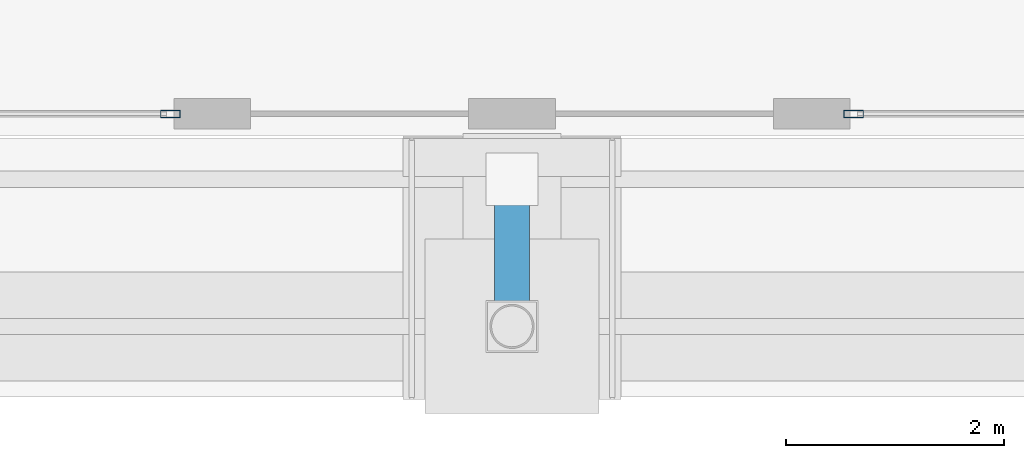
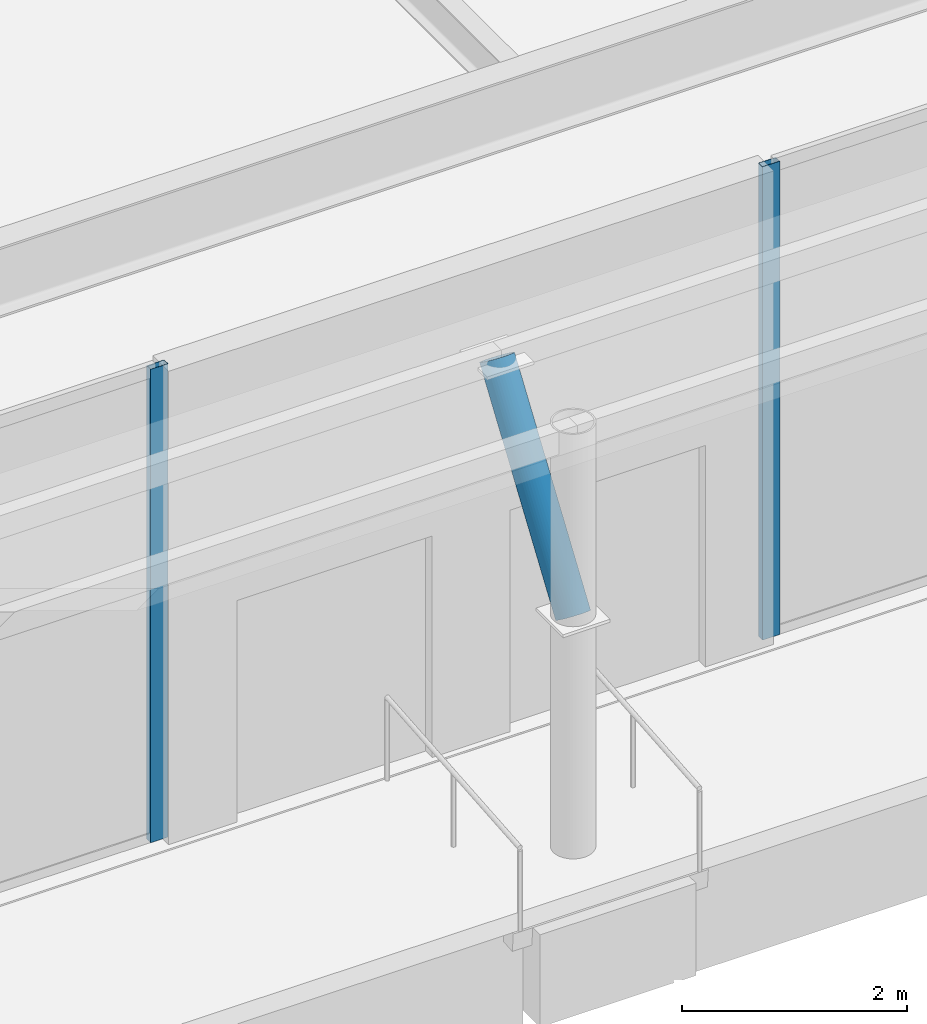
# One storey, part 11 of 31: 3 members, 2 elements without a shape of their own.
"""IFC4 building model written with IfcOpenShell, lengths in metres."""

from ifc_helpers import new_model, si_unit, direction, frame, origin, origin_2d, place, context, subcontext, project, spatial, hollow_rectangle, hollow_circle, extrude, material, layer, layer_set, material_profile, profile_set, type_object, element, aggregate, save


model = new_model("IFC4")

# Units and contexts
model_context = context("Model", 3, precision=1e-05, world=origin(), true_north=direction((0.0, 1.0)))
body_context = subcontext(model_context, "Body", "Model", "MODEL_VIEW")
ifc_project = project(units=[si_unit("LENGTHUNIT", "METRE"), si_unit("AREAUNIT", "SQUARE_METRE"), si_unit("VOLUMEUNIT", "CUBIC_METRE"), si_unit("PLANEANGLEUNIT", "RADIAN"), si_unit("MASSUNIT", "GRAM", prefix="KILO")], contexts=[model_context])

# Site, building, storey
site_placement = place(None, origin())
site = spatial("IfcSite", under=ifc_project, at=site_placement, CompositionType="ELEMENT")
building_placement = place(site_placement, origin())
building = spatial("IfcBuilding", under=site, at=building_placement, Name="Kravanh Interchange Tower", CompositionType="ELEMENT")
storey_placement = place(building_placement, origin())
storey = spatial("IfcBuildingStorey", under=building, at=storey_placement, Name="L00", CompositionType="ELEMENT", Elevation=0.0)

# Member
ifc_material_1 = material(Name="Structural Steel S355", Category="steel")
ifc_material_profile_1 = material_profile(ifc_material_1, hollow_circle(Radius=0.162109375, WallThickness=0.011962890625, at=origin_2d()), Name="CHS324X12")
ifc_profile_set_1 = profile_set([ifc_material_profile_1], Name="Structural Steel S355")
member_type_1 = type_object("IfcMemberType", Name="Canopy Raking Strut CHS324X12 Structural Steel S355", PredefinedType="STRUT", material=ifc_profile_set_1)
member_1_placement = place(storey_placement, frame((37.0, -1.75, 2.5), z_axis=(0.0, 0.564318032466, 0.8255574833), x_axis=(-1.0, 0.0, 0.0)))
element("IfcMember", 1, at=member_1_placement, inside=storey, type_object=member_type_1, Name="Transit Canopy Raking Strut 4", PredefinedType="STRUT", context=body_context, shape_type="SweptSolid", body=[
    extrude(hollow_circle(Radius=0.162109375, WallThickness=0.011962890625, at=origin_2d()), origin(), (0.0, 0.0, 1.0), 2.392333984375),
])

# Curtain wall, member
ifc_material_2 = material(Name="Anodised Bronze Aluminium", Category="aluminium")
ifc_layer = layer(ifc_material_2, 0.179931640625)
ifc_layer_set = layer_set([ifc_layer], Name="Unitised Curtain Wall System CW-POD Podium Concourse")
curtain_wall_type = type_object("IfcCurtainWallType", Name="Unitised Curtain Wall System CW-POD Podium Concourse", PredefinedType="NOTDEFINED", material=ifc_layer_set)
curtain_wall_1_placement = place(storey_placement, origin())
curtain_wall_1 = element("IfcCurtainWall", 2, at=curtain_wall_1_placement, inside=storey, type_object=curtain_wall_type, Name="L00 Unitised Curtain Wall CW-L00-01", PredefinedType="NOTDEFINED")
ifc_material_3 = material(Name="Anodised Bronze Aluminium", Category="aluminium")
ifc_material_profile_2 = material_profile(ifc_material_3, hollow_rectangle(XDim=0.070068359375, YDim=0.179931640625, WallThickness=0.00390625, at=origin_2d()), Name="ALU70X180X4")
ifc_profile_set_2 = profile_set([ifc_material_profile_2], Name="Anodised Bronze Aluminium")
member_type_2 = type_object("IfcMemberType", Name="Curtain Wall Mullion ALU70X180X4 Bronze", PredefinedType="MULLION", material=ifc_profile_set_2)
member_2_placement = place(storey_placement, frame((33.864990234375, 0.199951171875, 0.0), z_axis=(0.0, 0.0, 1.0), x_axis=(0.0, 1.0, 0.0)))
member_2 = element("IfcMember", 3, at=member_2_placement, type_object=member_type_2, Name="CW-POD mullion 3", PredefinedType="MULLION", context=body_context, shape_type="SweptSolid", body=[
    extrude(hollow_rectangle(XDim=0.070068359375, YDim=0.179931640625, WallThickness=0.00390625, at=origin_2d()), origin(), (0.0, 0.0, 1.0), 5.1298828125),
])
aggregate(curtain_wall_1, [member_2])

curtain_wall_2_placement = place(storey_placement, origin())
curtain_wall_2 = element("IfcCurtainWall", 4, at=curtain_wall_2_placement, inside=storey, type_object=curtain_wall_type, Name="L00 Unitised Curtain Wall CW-L00-02", PredefinedType="NOTDEFINED")
member_3_placement = place(storey_placement, frame((40.135009765625, 0.199951171875, 0.0), z_axis=(0.0, 0.0, 1.0), x_axis=(0.0, 1.0, 0.0)))
member_3 = element("IfcMember", 5, at=member_3_placement, type_object=member_type_2, Name="CW-POD mullion 1", PredefinedType="MULLION", context=body_context, shape_type="SweptSolid", body=[
    extrude(hollow_rectangle(XDim=0.070068359375, YDim=0.179931640625, WallThickness=0.00390625, at=origin_2d()), origin(), (0.0, 0.0, 1.0), 5.1298828125),
])
aggregate(curtain_wall_2, [member_3])

save(model, "model.ifc")
